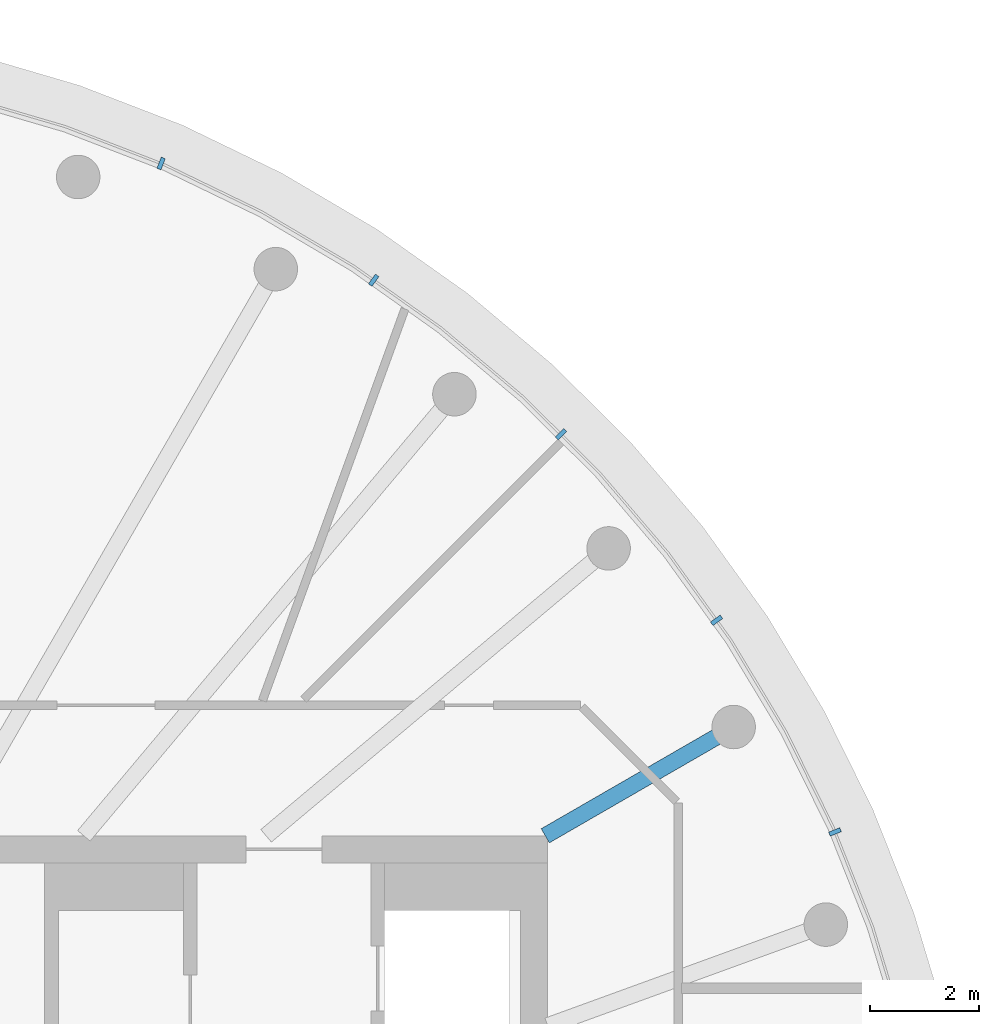
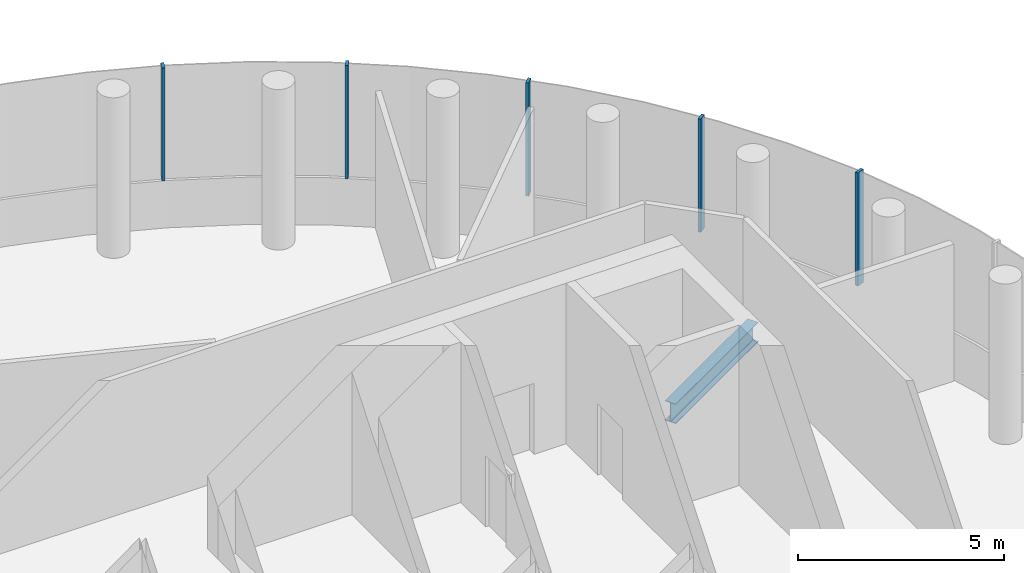
# One storey, part 6 of 12: 5 members, 1 beam, 1 element without a shape of its own.
"""IFC4 building model written with IfcOpenShell, lengths in metres."""

from ifc_helpers import new_model, si_unit, direction, frame, origin, origin_2d, place, context, subcontext, project, spatial, rectangle, i_section, extrude, material, layer, layer_set, material_profile, profile_set, type_object, element, aggregate, save


model = new_model("IFC4")

# Units and contexts
model_context = context("Model", 3, precision=1e-05, world=origin(), true_north=direction((0.0, 1.0)))
body_context = subcontext(model_context, "Body", "Model", "MODEL_VIEW")
ifc_project = project(units=[si_unit("LENGTHUNIT", "METRE"), si_unit("AREAUNIT", "SQUARE_METRE"), si_unit("VOLUMEUNIT", "CUBIC_METRE"), si_unit("PLANEANGLEUNIT", "RADIAN"), si_unit("MASSUNIT", "GRAM", prefix="KILO")], contexts=[model_context])

# Site, building, storey
site_placement = place(None, origin())
site = spatial("IfcSite", under=ifc_project, at=site_placement, CompositionType="ELEMENT")
building_placement = place(site_placement, origin())
building = spatial("IfcBuilding", under=site, at=building_placement, Name="Tamarind Cross Interchange Tower", CompositionType="ELEMENT")
storey_placement = place(building_placement, frame((0.0, 0.0, 294.39990234375)))
storey = spatial("IfcBuildingStorey", under=building, at=storey_placement, Name="L73", CompositionType="ELEMENT", Elevation=294.39990234375)

# Beam
ifc_material_1 = material(Name="Steel Q355B", Category="steel")
ifc_material_profile_1 = material_profile(ifc_material_1, i_section(OverallWidth=0.300048828125, OverallDepth=0.58203125, WebThickness=0.011962890625, FlangeThickness=0.01708984375, FilletRadius=0.01806640625, at=origin_2d()), Name="HM 582x300x12x17")
ifc_profile_set_1 = profile_set([ifc_material_profile_1], Name="Steel Q355B")
beam_type = type_object("IfcBeamType", Name="Composite beam HM 582x300x12x17 Q355B", PredefinedType="BEAM", material=ifc_profile_set_1)
beam_placement = place(storey_placement, frame((19.918701171875, 11.5, -0.490966796875), z_axis=(-0.866026010844, -0.49999894854, 0.0), x_axis=(0.49999894854, -0.866026010844, 0.0)))
element("IfcBeam", 1, at=beam_placement, inside=storey, type_object=beam_type, Name="Beam HH03", PredefinedType="BEAM", context=body_context, shape_type="SweptSolid", body=[
    extrude(i_section(OverallWidth=0.300048828125, OverallDepth=0.58203125, WebThickness=0.011962890625, FlangeThickness=0.01708984375, FilletRadius=0.01806640625, at=origin_2d()), origin(), (0.0, 0.0, 1.0), 4.0),
])

# Curtain wall, members
ifc_material_2 = material(Name="Aluminium 6063-T6", Category="aluminium")
ifc_layer = layer(ifc_material_2, 0.219970703125)
ifc_layer_set = layer_set([ifc_layer], Name="Aluminium 6063-T6")
curtain_wall_type = type_object("IfcCurtainWallType", Name="Observation deck curtain wall", PredefinedType="NOTDEFINED", material=ifc_layer_set)
curtain_wall_placement = place(storey_placement, origin())
curtain_wall = element("IfcCurtainWall", 2, at=curtain_wall_placement, inside=storey, type_object=curtain_wall_type, Name="CWS-L73-02", PredefinedType="NOTDEFINED")
ifc_material_profile_2 = material_profile(ifc_material_2, rectangle(XDim=0.080078125, YDim=0.219970703125, at=origin_2d()), Name="Mullion CW5")
ifc_profile_set_2 = profile_set([ifc_material_profile_2], Name="Aluminium 6063-T6")
member_type = type_object("IfcMemberType", Name="Mullion CW5", PredefinedType="MULLION", material=ifc_profile_set_2)
member_1_placement = place(storey_placement, frame((21.782470703125, 9.57080078125, 1.400146484375), z_axis=(0.0, 0.0, 1.0), x_axis=(-0.367513773146, 0.930018078613, 0.0)))
member_1 = element("IfcMember", 3, at=member_1_placement, type_object=member_type, Name="CWM-L73-02-24", PredefinedType="MULLION", context=body_context, shape_type="SweptSolid", body=[
    extrude(rectangle(XDim=0.080078125, YDim=0.219970703125, at=origin_2d()), origin(), (0.0, 0.0, 1.0), 3.349853515625),
])
member_2_placement = place(storey_placement, frame((19.6044921875, 13.462158203125, 1.400146484375), z_axis=(0.0, 0.0, 1.0), x_axis=(-0.584573890505, 0.811340475102, 0.0)))
member_2 = element("IfcMember", 4, at=member_2_placement, type_object=member_type, Name="CWM-L73-02-25", PredefinedType="MULLION", context=body_context, shape_type="SweptSolid", body=[
    extrude(rectangle(XDim=0.080078125, YDim=0.219970703125, at=origin_2d()), origin(), (0.0, 0.0, 1.0), 3.349853515625),
])
member_3_placement = place(storey_placement, frame((16.7421875, 16.881103515625, 1.400146484375), z_axis=(0.0, 0.0, 1.0), x_axis=(-0.710143317658, 0.704057148523, 0.0)))
member_3 = element("IfcMember", 5, at=member_3_placement, type_object=member_type, Name="CWM-L73-02-26", PredefinedType="MULLION", context=body_context, shape_type="SweptSolid", body=[
    extrude(rectangle(XDim=0.080078125, YDim=0.219970703125, at=origin_2d()), origin(), (0.0, 0.0, 1.0), 3.349853515625),
])
member_4_placement = place(storey_placement, frame((13.2998046875, 19.71484375, 1.400146484375), z_axis=(0.0, 0.0, 1.0), x_axis=(-0.816341886298, 0.577568978284, 0.0)))
member_4 = element("IfcMember", 6, at=member_4_placement, type_object=member_type, Name="CWM-L73-02-27", PredefinedType="MULLION", context=body_context, shape_type="SweptSolid", body=[
    extrude(rectangle(XDim=0.080078125, YDim=0.219970703125, at=origin_2d()), origin(), (0.0, 0.0, 1.0), 3.349853515625),
])
member_5_placement = place(storey_placement, frame((9.390625, 21.861083984375, 1.400146484375), z_axis=(0.0, 0.0, 1.0), x_axis=(-0.933146843667, 0.359495435512, 0.0)))
member_5 = element("IfcMember", 7, at=member_5_placement, type_object=member_type, Name="CWM-L73-02-28", PredefinedType="MULLION", context=body_context, shape_type="SweptSolid", body=[
    extrude(rectangle(XDim=0.080078125, YDim=0.219970703125, at=origin_2d()), origin(), (0.0, 0.0, 1.0), 3.349853515625),
])
aggregate(curtain_wall, [member_1, member_2, member_3, member_4, member_5])

save(model, "model.ifc")
